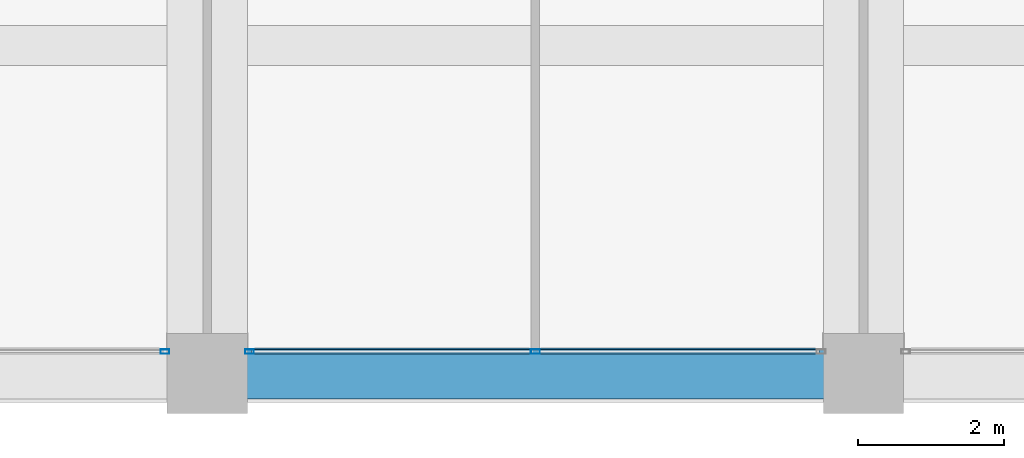
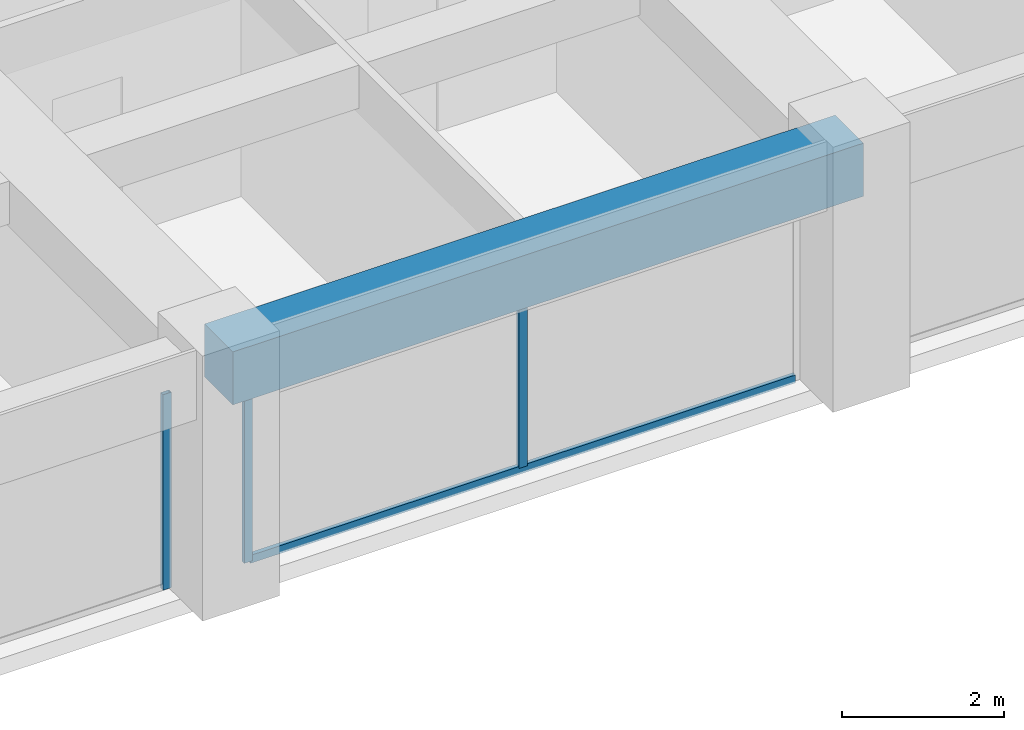
# One storey, part 9 of 44: 4 members, 1 beam, 2 elements without a shape of their own.
"""IFC4 building model written with IfcOpenShell, lengths in metres."""

from ifc_helpers import new_model, si_unit, direction, frame, origin, origin_2d, place, context, subcontext, project, spatial, rectangle, hollow_rectangle, extrude, material, material_profile, profile_set, type_object, element, aggregate, save


model = new_model("IFC4")

# Units and contexts
model_context = context("Model", 3, precision=1e-05, world=origin(), true_north=direction((0.0, 1.0)))
body_context = subcontext(model_context, "Body", "Model", "MODEL_VIEW")
ifc_project = project(units=[si_unit("LENGTHUNIT", "METRE"), si_unit("AREAUNIT", "SQUARE_METRE"), si_unit("VOLUMEUNIT", "CUBIC_METRE"), si_unit("PLANEANGLEUNIT", "RADIAN"), si_unit("MASSUNIT", "GRAM", prefix="KILO")], contexts=[model_context])

# Site, building, storey
site_placement = place(None, origin())
site = spatial("IfcSite", under=ifc_project, at=site_placement, CompositionType="ELEMENT")
building_placement = place(site_placement, origin())
building = spatial("IfcBuilding", under=site, at=building_placement, Name="Zorevar Civic Tower", CompositionType="ELEMENT")
storey_placement = place(building_placement, frame((0.0, 0.0, 283.39990234375)))
storey = spatial("IfcBuildingStorey", under=building, at=storey_placement, Name="L69", CompositionType="ELEMENT", Elevation=283.39990234375)

# Curtain wall, member
ifc_material_1 = material(Name="Dark grey solar-control glass in black aluminium frame", Category="aluminium")
curtain_wall_type = type_object("IfcCurtainWallType", Name="Curtain wall CW5 top zone", PredefinedType="NOTDEFINED", material=ifc_material_1)
curtain_wall_1_placement = place(storey_placement, origin())
curtain_wall_1 = element("IfcCurtainWall", 1, at=curtain_wall_1_placement, inside=storey, type_object=curtain_wall_type, Name="CW5 L69", PredefinedType="NOTDEFINED")
ifc_material_2 = material(Name="Aluminium, black anodised", Category="aluminium")
ifc_material_profile_1 = material_profile(ifc_material_2, hollow_rectangle(XDim=0.06005859375, YDim=0.1201171875, WallThickness=0.0029296875, at=origin_2d()), Name="AL 120x60x3")
ifc_profile_set_1 = profile_set([ifc_material_profile_1], Name="Aluminium, black anodised")
member_type_1 = type_object("IfcMemberType", Name="CW5 mullion AL 120x60x3", PredefinedType="MULLION", material=ifc_profile_set_1)
member_1_placement = place(storey_placement, frame((26.419921875, 0.300048828125, 0.0), z_axis=(0.0, 0.0, 1.0), x_axis=(0.0, 1.0, 0.0)))
member_1 = element("IfcMember", 2, at=member_1_placement, type_object=member_type_1, Name="CW5 mullion 3", PredefinedType="MULLION", context=body_context, shape_type="SweptSolid", body=[
    extrude(hollow_rectangle(XDim=0.06005859375, YDim=0.1201171875, WallThickness=0.0029296875, at=origin_2d()), origin(), (0.0, 0.0, 1.0), 2.9501953125),
])
aggregate(curtain_wall_1, [member_1])

# Curtain wall, members
curtain_wall_2_placement = place(storey_placement, origin())
curtain_wall_2 = element("IfcCurtainWall", 3, at=curtain_wall_2_placement, inside=storey, type_object=curtain_wall_type, Name="CW5 L69", PredefinedType="NOTDEFINED")
member_2_placement = place(storey_placement, frame((27.580078125, 0.300048828125, 0.0), z_axis=(0.0, 0.0, 1.0), x_axis=(0.0, 1.0, 0.0)))
member_2 = element("IfcMember", 4, at=member_2_placement, type_object=member_type_1, Name="CW5 mullion 1", PredefinedType="MULLION", context=body_context, shape_type="SweptSolid", body=[
    extrude(hollow_rectangle(XDim=0.06005859375, YDim=0.1201171875, WallThickness=0.0029296875, at=origin_2d()), origin(), (0.0, 0.0, 1.0), 2.9501953125),
])
member_3_placement = place(storey_placement, frame((31.5, 0.300048828125, 0.06005859375), z_axis=(0.0, 0.0, 1.0), x_axis=(0.0, 1.0, 0.0)))
member_3 = element("IfcMember", 5, at=member_3_placement, type_object=member_type_1, Name="CW5 mullion 2", PredefinedType="MULLION", context=body_context, shape_type="SweptSolid", body=[
    extrude(hollow_rectangle(XDim=0.06005859375, YDim=0.1201171875, WallThickness=0.0029296875, at=origin_2d()), origin(), (0.0, 0.0, 1.0), 2.89013671875),
])
ifc_material_3 = material(Name="Aluminium, black anodised", Category="aluminium")
ifc_material_profile_2 = material_profile(ifc_material_3, hollow_rectangle(XDim=0.06005859375, YDim=0.1201171875, WallThickness=0.0029296875, at=origin_2d()), Name="AL 120x60x3")
ifc_profile_set_2 = profile_set([ifc_material_profile_2], Name="Aluminium, black anodised")
member_type_2 = type_object("IfcMemberType", Name="CW5 transom AL 120x60x3", PredefinedType="USERDEFINED", material=ifc_profile_set_2)
member_4_placement = place(storey_placement, frame((27.610107421875, 0.300048828125, 0.030029296875), z_axis=(1.0, 0.0, 0.0), x_axis=(0.0, 1.0, 0.0)))
member_4 = element("IfcMember", 6, at=member_4_placement, type_object=member_type_2, Name="CW5 sill transom", ObjectType="TRANSOM", PredefinedType="USERDEFINED", context=body_context, shape_type="SweptSolid", body=[
    extrude(hollow_rectangle(XDim=0.06005859375, YDim=0.1201171875, WallThickness=0.0029296875, at=origin_2d()), origin(), (0.0, 0.0, 1.0), 7.77978515625),
])
aggregate(curtain_wall_2, [member_2, member_3, member_4])

# Beam
ifc_material_4 = material(Name="Concrete C50/60", Category="concrete")
ifc_material_profile_3 = material_profile(ifc_material_4, rectangle(XDim=0.699951171875, YDim=0.800048828125, at=origin_2d()), Name="RC 700x800")
ifc_profile_set_3 = profile_set([ifc_material_profile_3], Name="Concrete C50/60")
beam_type = type_object("IfcBeamType", Name="Edge beam RC 700x800", PredefinedType="SPANDREL", material=ifc_profile_set_3)
beam_placement = place(storey_placement, frame((27.0, 0.0, 3.35009765625), z_axis=(1.0, 0.0, 0.0), x_axis=(0.0, 1.0, 0.0)))
element("IfcBeam", 7, at=beam_placement, inside=storey, type_object=beam_type, Name="Edge beam L70", PredefinedType="SPANDREL", context=body_context, shape_type="SweptSolid", body=[
    extrude(rectangle(XDim=0.699951171875, YDim=0.800048828125, at=origin_2d()), origin(), (0.0, 0.0, 1.0), 9.0),
])

save(model, "model.ifc")
